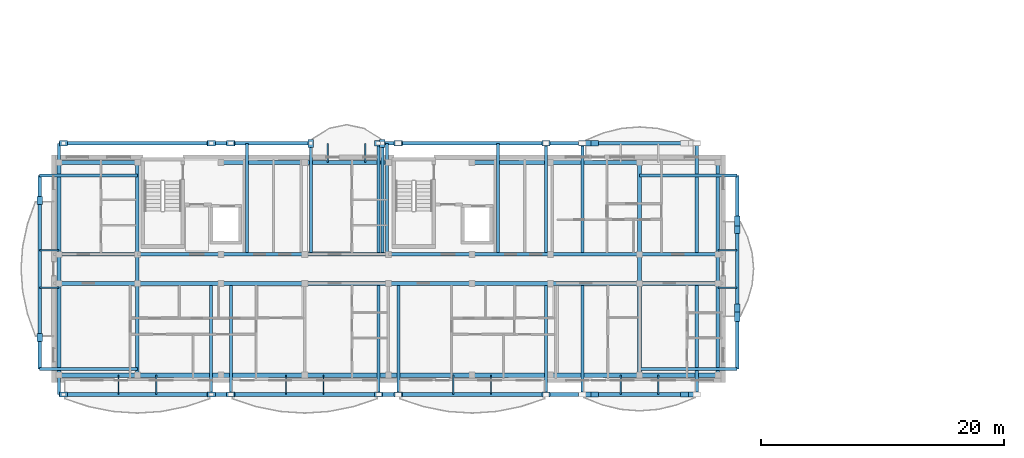
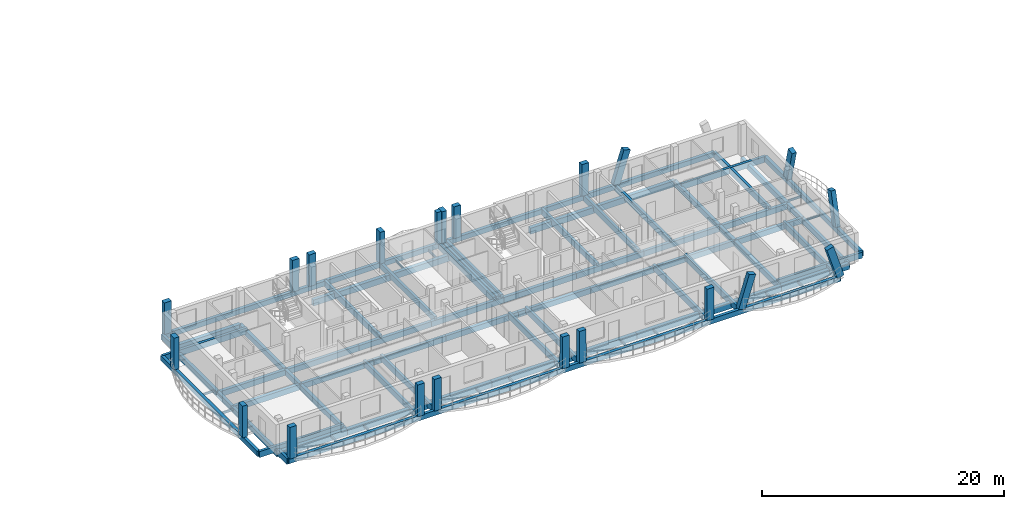
# One storey, part 3 of 44: 81 beams, 21 members.
"""IFC4 building model written with IfcOpenShell, lengths in metres."""

from ifc_helpers import new_model, si_unit, direction, frame, origin, origin_2d, place, context, subcontext, project, spatial, rectangle, i_section, extrude, material, material_profile, profile_set, type_object, element, save


model = new_model("IFC4")

# Units and contexts
model_context = context("Model", 3, precision=1e-05, world=origin(), true_north=direction((0.0, 1.0)))
body_context = subcontext(model_context, "Body", "Model", "MODEL_VIEW")
ifc_project = project(units=[si_unit("LENGTHUNIT", "METRE"), si_unit("AREAUNIT", "SQUARE_METRE"), si_unit("VOLUMEUNIT", "CUBIC_METRE"), si_unit("PLANEANGLEUNIT", "RADIAN"), si_unit("MASSUNIT", "GRAM", prefix="KILO")], contexts=[model_context])

# Site, building, storey
site_placement = place(None, origin())
site = spatial("IfcSite", under=ifc_project, at=site_placement, CompositionType="ELEMENT")
building_placement = place(site_placement, origin())
building = spatial("IfcBuilding", under=site, at=building_placement, Name="Zavelmont Quarter", CompositionType="ELEMENT")
storey_placement = place(building_placement, frame((0.0, 0.0, 20.800048828125)))
storey = spatial("IfcBuildingStorey", under=building, at=storey_placement, Name="L06", CompositionType="ELEMENT", Elevation=20.800048828125)

# Beams
ifc_material_1 = material(Name="Concrete C35/45", Category="concrete")
ifc_material_profile_1 = material_profile(ifc_material_1, rectangle(XDim=0.35009765625, YDim=0.60009765625, at=origin_2d()), Name="RC350X600")
ifc_profile_set_1 = profile_set([ifc_material_profile_1], Name="Concrete C35/45")
beam_type_1 = type_object("IfcBeamType", Name="BM01", PredefinedType="SPANDREL", material=ifc_profile_set_1)
beam_1_placement = place(storey_placement, frame((0.43994140625, 0.43994140625, -0.550048828125), z_axis=(1.0, 0.0, 0.0), x_axis=(0.0, 1.0, 0.0)))
element("IfcBeam", 1, at=beam_1_placement, inside=storey, type_object=beam_type_1, Name="L06 beam BM01 1/A to 2/A", PredefinedType="SPANDREL", context=body_context, shape_type="SweptSolid", body=[
    extrude(rectangle(XDim=0.35009765625, YDim=0.60009765625, at=origin_2d()), origin(), (0.0, 0.0, 1.0), 6.4599609375),
])
beam_2_placement = place(storey_placement, frame((6.89990234375, 0.43994140625, -0.550048828125), z_axis=(1.0, 0.0, 0.0), x_axis=(0.0, 1.0, 0.0)))
element("IfcBeam", 2, at=beam_2_placement, inside=storey, type_object=beam_type_1, Name="L06 beam BM01 2/A to 3/A", PredefinedType="SPANDREL", context=body_context, shape_type="SweptSolid", body=[
    extrude(rectangle(XDim=0.35009765625, YDim=0.60009765625, at=origin_2d()), origin(), (0.0, 0.0, 1.0), 6.900146484375),
])
beam_3_placement = place(storey_placement, frame((13.800048828125, 0.43994140625, -0.550048828125), z_axis=(1.0, 0.0, 0.0), x_axis=(0.0, 1.0, 0.0)))
element("IfcBeam", 3, at=beam_3_placement, inside=storey, type_object=beam_type_1, Name="L06 beam BM01 3/A to 4/A", PredefinedType="SPANDREL", context=body_context, shape_type="SweptSolid", body=[
    extrude(rectangle(XDim=0.35009765625, YDim=0.60009765625, at=origin_2d()), origin(), (0.0, 0.0, 1.0), 6.89990234375),
])
beam_4_placement = place(storey_placement, frame((20.699951171875, 0.43994140625, -0.550048828125), z_axis=(1.0, 0.0, 0.0), x_axis=(0.0, 1.0, 0.0)))
element("IfcBeam", 4, at=beam_4_placement, inside=storey, type_object=beam_type_1, Name="L06 beam BM01 4/A to 5/A", PredefinedType="SPANDREL", context=body_context, shape_type="SweptSolid", body=[
    extrude(rectangle(XDim=0.35009765625, YDim=0.60009765625, at=origin_2d()), origin(), (0.0, 0.0, 1.0), 6.900146484375),
])
beam_5_placement = place(storey_placement, frame((27.60009765625, 0.43994140625, -0.550048828125), z_axis=(1.0, 0.0, 0.0), x_axis=(0.0, 1.0, 0.0)))
element("IfcBeam", 5, at=beam_5_placement, inside=storey, type_object=beam_type_1, Name="L06 beam BM01 5/A to 6/A", PredefinedType="SPANDREL", context=body_context, shape_type="SweptSolid", body=[
    extrude(rectangle(XDim=0.35009765625, YDim=0.60009765625, at=origin_2d()), origin(), (0.0, 0.0, 1.0), 6.89990234375),
])
beam_6_placement = place(storey_placement, frame((34.5, 0.43994140625, -0.550048828125), z_axis=(1.0, 0.0, 0.0), x_axis=(0.0, 1.0, 0.0)))
element("IfcBeam", 6, at=beam_6_placement, inside=storey, type_object=beam_type_1, Name="L06 beam BM01 6/A to 7/A", PredefinedType="SPANDREL", context=body_context, shape_type="SweptSolid", body=[
    extrude(rectangle(XDim=0.35009765625, YDim=0.60009765625, at=origin_2d()), origin(), (0.0, 0.0, 1.0), 6.4599609375),
])
beam_7_placement = place(storey_placement, frame((40.9599609375, 0.43994140625, -0.550048828125), z_axis=(1.0, 0.0, 0.0), x_axis=(0.0, 1.0, 0.0)))
element("IfcBeam", 7, at=beam_7_placement, inside=storey, type_object=beam_type_1, Name="L06 beam BM01 7/A to 8/A", PredefinedType="SPANDREL", context=body_context, shape_type="SweptSolid", body=[
    extrude(rectangle(XDim=0.35009765625, YDim=0.60009765625, at=origin_2d()), origin(), (0.0, 0.0, 1.0), 7.340087890625),
])
for number, where, z_axis, x_axis, name in (
    (8, (48.300048828125, 0.43994140625, -0.550048828125), (1.0, 0.0, 0.0), (0.0, 1.0, 0.0), "L06 beam BM01 8/A to 9/A"),
    (9, (0.43994140625, 17.9599609375, -0.550048828125), (1.0, 0.0, 0.0), (0.0, 1.0, 0.0), "L06 beam BM01 1/D to 2/D"),
):
    element("IfcBeam", number, at=place(storey_placement, frame(where, z_axis=z_axis, x_axis=x_axis)), inside=storey, type_object=beam_type_1, Name=name, PredefinedType="SPANDREL", context=body_context, shape_type="SweptSolid", body=[
        extrude(rectangle(XDim=0.35009765625, YDim=0.60009765625, at=origin_2d()), origin(), (0.0, 0.0, 1.0), 6.4599609375),
    ])
beam_8_placement = place(storey_placement, frame((13.800048828125, 17.9599609375, -0.550048828125), z_axis=(1.0, 0.0, 0.0), x_axis=(0.0, 1.0, 0.0)))
element("IfcBeam", 10, at=beam_8_placement, inside=storey, type_object=beam_type_1, Name="L06 beam BM01 3/D to 4/D", PredefinedType="SPANDREL", context=body_context, shape_type="SweptSolid", body=[
    extrude(rectangle(XDim=0.35009765625, YDim=0.60009765625, at=origin_2d()), origin(), (0.0, 0.0, 1.0), 6.89990234375),
])
beam_9_placement = place(storey_placement, frame((20.699951171875, 17.9599609375, -0.550048828125), z_axis=(1.0, 0.0, 0.0), x_axis=(0.0, 1.0, 0.0)))
element("IfcBeam", 11, at=beam_9_placement, inside=storey, type_object=beam_type_1, Name="L06 beam BM01 4/D to 5/D", PredefinedType="SPANDREL", context=body_context, shape_type="SweptSolid", body=[
    extrude(rectangle(XDim=0.35009765625, YDim=0.60009765625, at=origin_2d()), origin(), (0.0, 0.0, 1.0), 6.900146484375),
])
beam_10_placement = place(storey_placement, frame((34.5, 17.9599609375, -0.550048828125), z_axis=(1.0, 0.0, 0.0), x_axis=(0.0, 1.0, 0.0)))
element("IfcBeam", 12, at=beam_10_placement, inside=storey, type_object=beam_type_1, Name="L06 beam BM01 6/D to 7/D", PredefinedType="SPANDREL", context=body_context, shape_type="SweptSolid", body=[
    extrude(rectangle(XDim=0.35009765625, YDim=0.60009765625, at=origin_2d()), origin(), (0.0, 0.0, 1.0), 6.4599609375),
])
beam_11_placement = place(storey_placement, frame((40.9599609375, 17.9599609375, -0.550048828125), z_axis=(1.0, 0.0, 0.0), x_axis=(0.0, 1.0, 0.0)))
element("IfcBeam", 13, at=beam_11_placement, inside=storey, type_object=beam_type_1, Name="L06 beam BM01 7/D to 8/D", PredefinedType="SPANDREL", context=body_context, shape_type="SweptSolid", body=[
    extrude(rectangle(XDim=0.35009765625, YDim=0.60009765625, at=origin_2d()), origin(), (0.0, 0.0, 1.0), 7.340087890625),
])
ifc_material_profile_2 = material_profile(ifc_material_1, rectangle(XDim=0.300048828125, YDim=0.550048828125, at=origin_2d()), Name="RC300X550")
ifc_profile_set_2 = profile_set([ifc_material_profile_2], Name="Concrete C35/45")
beam_type_2 = type_object("IfcBeamType", Name="BM02", PredefinedType="SPANDREL", material=ifc_profile_set_2)
beam_12_placement = place(storey_placement, frame((0.43994140625, 8.0, -0.525146484375), z_axis=(1.0, 0.0, 0.0), x_axis=(0.0, 1.0, 0.0)))
element("IfcBeam", 14, at=beam_12_placement, inside=storey, type_object=beam_type_2, Name="L06 beam BM02 1/B to 2/B", PredefinedType="SPANDREL", context=body_context, shape_type="SweptSolid", body=[
    extrude(rectangle(XDim=0.300048828125, YDim=0.550048828125, at=origin_2d()), origin(), (0.0, 0.0, 1.0), 6.4599609375),
])
beam_13_placement = place(storey_placement, frame((6.89990234375, 8.0, -0.525146484375), z_axis=(1.0, 0.0, 0.0), x_axis=(0.0, 1.0, 0.0)))
element("IfcBeam", 15, at=beam_13_placement, inside=storey, type_object=beam_type_2, Name="L06 beam BM02 2/B to 3/B", PredefinedType="SPANDREL", context=body_context, shape_type="SweptSolid", body=[
    extrude(rectangle(XDim=0.300048828125, YDim=0.550048828125, at=origin_2d()), origin(), (0.0, 0.0, 1.0), 6.900146484375),
])
beam_14_placement = place(storey_placement, frame((13.800048828125, 8.0, -0.525146484375), z_axis=(1.0, 0.0, 0.0), x_axis=(0.0, 1.0, 0.0)))
element("IfcBeam", 16, at=beam_14_placement, inside=storey, type_object=beam_type_2, Name="L06 beam BM02 3/B to 4/B", PredefinedType="SPANDREL", context=body_context, shape_type="SweptSolid", body=[
    extrude(rectangle(XDim=0.300048828125, YDim=0.550048828125, at=origin_2d()), origin(), (0.0, 0.0, 1.0), 6.89990234375),
])
beam_15_placement = place(storey_placement, frame((20.699951171875, 8.0, -0.525146484375), z_axis=(1.0, 0.0, 0.0), x_axis=(0.0, 1.0, 0.0)))
element("IfcBeam", 17, at=beam_15_placement, inside=storey, type_object=beam_type_2, Name="L06 beam BM02 4/B to 5/B", PredefinedType="SPANDREL", context=body_context, shape_type="SweptSolid", body=[
    extrude(rectangle(XDim=0.300048828125, YDim=0.550048828125, at=origin_2d()), origin(), (0.0, 0.0, 1.0), 6.900146484375),
])
beam_16_placement = place(storey_placement, frame((27.60009765625, 8.0, -0.525146484375), z_axis=(1.0, 0.0, 0.0), x_axis=(0.0, 1.0, 0.0)))
element("IfcBeam", 18, at=beam_16_placement, inside=storey, type_object=beam_type_2, Name="L06 beam BM02 5/B to 6/B", PredefinedType="SPANDREL", context=body_context, shape_type="SweptSolid", body=[
    extrude(rectangle(XDim=0.300048828125, YDim=0.550048828125, at=origin_2d()), origin(), (0.0, 0.0, 1.0), 6.89990234375),
])
beam_17_placement = place(storey_placement, frame((34.5, 8.0, -0.525146484375), z_axis=(1.0, 0.0, 0.0), x_axis=(0.0, 1.0, 0.0)))
element("IfcBeam", 19, at=beam_17_placement, inside=storey, type_object=beam_type_2, Name="L06 beam BM02 6/B to 7/B", PredefinedType="SPANDREL", context=body_context, shape_type="SweptSolid", body=[
    extrude(rectangle(XDim=0.300048828125, YDim=0.550048828125, at=origin_2d()), origin(), (0.0, 0.0, 1.0), 6.4599609375),
])
beam_18_placement = place(storey_placement, frame((40.9599609375, 8.0, -0.525146484375), z_axis=(1.0, 0.0, 0.0), x_axis=(0.0, 1.0, 0.0)))
element("IfcBeam", 20, at=beam_18_placement, inside=storey, type_object=beam_type_2, Name="L06 beam BM02 7/B to 8/B", PredefinedType="SPANDREL", context=body_context, shape_type="SweptSolid", body=[
    extrude(rectangle(XDim=0.300048828125, YDim=0.550048828125, at=origin_2d()), origin(), (0.0, 0.0, 1.0), 7.340087890625),
])
for number, where, z_axis, x_axis, name in (
    (21, (48.300048828125, 8.0, -0.525146484375), (1.0, 0.0, 0.0), (0.0, 1.0, 0.0), "L06 beam BM02 8/B to 9/B"),
    (22, (0.43994140625, 10.39990234375, -0.525146484375), (1.0, 0.0, 0.0), (0.0, 1.0, 0.0), "L06 beam BM02 1/C to 2/C"),
):
    element("IfcBeam", number, at=place(storey_placement, frame(where, z_axis=z_axis, x_axis=x_axis)), inside=storey, type_object=beam_type_2, Name=name, PredefinedType="SPANDREL", context=body_context, shape_type="SweptSolid", body=[
        extrude(rectangle(XDim=0.300048828125, YDim=0.550048828125, at=origin_2d()), origin(), (0.0, 0.0, 1.0), 6.4599609375),
    ])
beam_19_placement = place(storey_placement, frame((6.89990234375, 10.39990234375, -0.525146484375), z_axis=(1.0, 0.0, 0.0), x_axis=(0.0, 1.0, 0.0)))
element("IfcBeam", 23, at=beam_19_placement, inside=storey, type_object=beam_type_2, Name="L06 beam BM02 2/C to 3/C", PredefinedType="SPANDREL", context=body_context, shape_type="SweptSolid", body=[
    extrude(rectangle(XDim=0.300048828125, YDim=0.550048828125, at=origin_2d()), origin(), (0.0, 0.0, 1.0), 6.900146484375),
])
beam_20_placement = place(storey_placement, frame((13.800048828125, 10.39990234375, -0.525146484375), z_axis=(1.0, 0.0, 0.0), x_axis=(0.0, 1.0, 0.0)))
element("IfcBeam", 24, at=beam_20_placement, inside=storey, type_object=beam_type_2, Name="L06 beam BM02 3/C to 4/C", PredefinedType="SPANDREL", context=body_context, shape_type="SweptSolid", body=[
    extrude(rectangle(XDim=0.300048828125, YDim=0.550048828125, at=origin_2d()), origin(), (0.0, 0.0, 1.0), 6.89990234375),
])
beam_21_placement = place(storey_placement, frame((20.699951171875, 10.39990234375, -0.525146484375), z_axis=(1.0, 0.0, 0.0), x_axis=(0.0, 1.0, 0.0)))
element("IfcBeam", 25, at=beam_21_placement, inside=storey, type_object=beam_type_2, Name="L06 beam BM02 4/C to 5/C", PredefinedType="SPANDREL", context=body_context, shape_type="SweptSolid", body=[
    extrude(rectangle(XDim=0.300048828125, YDim=0.550048828125, at=origin_2d()), origin(), (0.0, 0.0, 1.0), 6.900146484375),
])
beam_22_placement = place(storey_placement, frame((27.60009765625, 10.39990234375, -0.525146484375), z_axis=(1.0, 0.0, 0.0), x_axis=(0.0, 1.0, 0.0)))
element("IfcBeam", 26, at=beam_22_placement, inside=storey, type_object=beam_type_2, Name="L06 beam BM02 5/C to 6/C", PredefinedType="SPANDREL", context=body_context, shape_type="SweptSolid", body=[
    extrude(rectangle(XDim=0.300048828125, YDim=0.550048828125, at=origin_2d()), origin(), (0.0, 0.0, 1.0), 6.89990234375),
])
beam_23_placement = place(storey_placement, frame((34.5, 10.39990234375, -0.525146484375), z_axis=(1.0, 0.0, 0.0), x_axis=(0.0, 1.0, 0.0)))
element("IfcBeam", 27, at=beam_23_placement, inside=storey, type_object=beam_type_2, Name="L06 beam BM02 6/C to 7/C", PredefinedType="SPANDREL", context=body_context, shape_type="SweptSolid", body=[
    extrude(rectangle(XDim=0.300048828125, YDim=0.550048828125, at=origin_2d()), origin(), (0.0, 0.0, 1.0), 6.4599609375),
])
beam_24_placement = place(storey_placement, frame((40.9599609375, 10.39990234375, -0.525146484375), z_axis=(1.0, 0.0, 0.0), x_axis=(0.0, 1.0, 0.0)))
element("IfcBeam", 28, at=beam_24_placement, inside=storey, type_object=beam_type_2, Name="L06 beam BM02 7/C to 8/C", PredefinedType="SPANDREL", context=body_context, shape_type="SweptSolid", body=[
    extrude(rectangle(XDim=0.300048828125, YDim=0.550048828125, at=origin_2d()), origin(), (0.0, 0.0, 1.0), 7.340087890625),
])
beam_25_placement = place(storey_placement, frame((48.300048828125, 10.39990234375, -0.525146484375), z_axis=(1.0, 0.0, 0.0), x_axis=(0.0, 1.0, 0.0)))
element("IfcBeam", 29, at=beam_25_placement, inside=storey, type_object=beam_type_2, Name="L06 beam BM02 8/C to 9/C", PredefinedType="SPANDREL", context=body_context, shape_type="SweptSolid", body=[
    extrude(rectangle(XDim=0.300048828125, YDim=0.550048828125, at=origin_2d()), origin(), (0.0, 0.0, 1.0), 6.4599609375),
])
beam_26_placement = place(storey_placement, frame((0.43994140625, 0.43994140625, -0.525146484375), z_axis=(0.0, 1.0, 0.0), x_axis=(-1.0, 0.0, 0.0)))
element("IfcBeam", 30, at=beam_26_placement, inside=storey, type_object=beam_type_2, Name="L06 beam BM02 1/A to 1/B", PredefinedType="SPANDREL", context=body_context, shape_type="SweptSolid", body=[
    extrude(rectangle(XDim=0.300048828125, YDim=0.550048828125, at=origin_2d()), origin(), (0.0, 0.0, 1.0), 7.56005859375),
])
beam_27_placement = place(storey_placement, frame((0.43994140625, 8.0, -0.525146484375), z_axis=(0.0, 1.0, 0.0), x_axis=(-1.0, 0.0, 0.0)))
element("IfcBeam", 31, at=beam_27_placement, inside=storey, type_object=beam_type_2, Name="L06 beam BM02 1/B to 1/C", PredefinedType="SPANDREL", context=body_context, shape_type="SweptSolid", body=[
    extrude(rectangle(XDim=0.300048828125, YDim=0.550048828125, at=origin_2d()), origin(), (0.0, 0.0, 1.0), 2.39990234375),
])
for number, where, z_axis, x_axis, name in (
    (32, (0.43994140625, 10.39990234375, -0.525146484375), (0.0, 1.0, 0.0), (-1.0, 0.0, 0.0), "L06 beam BM02 1/C to 1/D"),
    (33, (6.89990234375, 0.43994140625, -0.525146484375), (0.0, 1.0, 0.0), (-1.0, 0.0, 0.0), "L06 beam BM02 2/A to 2/B"),
):
    element("IfcBeam", number, at=place(storey_placement, frame(where, z_axis=z_axis, x_axis=x_axis)), inside=storey, type_object=beam_type_2, Name=name, PredefinedType="SPANDREL", context=body_context, shape_type="SweptSolid", body=[
        extrude(rectangle(XDim=0.300048828125, YDim=0.550048828125, at=origin_2d()), origin(), (0.0, 0.0, 1.0), 7.56005859375),
    ])
beam_28_placement = place(storey_placement, frame((6.89990234375, 8.0, -0.525146484375), z_axis=(0.0, 1.0, 0.0), x_axis=(-1.0, 0.0, 0.0)))
element("IfcBeam", 34, at=beam_28_placement, inside=storey, type_object=beam_type_2, Name="L06 beam BM02 2/B to 2/C", PredefinedType="SPANDREL", context=body_context, shape_type="SweptSolid", body=[
    extrude(rectangle(XDim=0.300048828125, YDim=0.550048828125, at=origin_2d()), origin(), (0.0, 0.0, 1.0), 2.39990234375),
])
for number, where, z_axis, x_axis, name in (
    (35, (6.89990234375, 10.39990234375, -0.525146484375), (0.0, 1.0, 0.0), (-1.0, 0.0, 0.0), "L06 beam BM02 2/C to 2/D"),
    (36, (48.300048828125, 0.43994140625, -0.525146484375), (0.0, 1.0, 0.0), (-1.0, 0.0, 0.0), "L06 beam BM02 8/A to 8/B"),
):
    element("IfcBeam", number, at=place(storey_placement, frame(where, z_axis=z_axis, x_axis=x_axis)), inside=storey, type_object=beam_type_2, Name=name, PredefinedType="SPANDREL", context=body_context, shape_type="SweptSolid", body=[
        extrude(rectangle(XDim=0.300048828125, YDim=0.550048828125, at=origin_2d()), origin(), (0.0, 0.0, 1.0), 7.56005859375),
    ])
beam_29_placement = place(storey_placement, frame((48.300048828125, 8.0, -0.525146484375), z_axis=(0.0, 1.0, 0.0), x_axis=(-1.0, 0.0, 0.0)))
element("IfcBeam", 37, at=beam_29_placement, inside=storey, type_object=beam_type_2, Name="L06 beam BM02 8/B to 8/C", PredefinedType="SPANDREL", context=body_context, shape_type="SweptSolid", body=[
    extrude(rectangle(XDim=0.300048828125, YDim=0.550048828125, at=origin_2d()), origin(), (0.0, 0.0, 1.0), 2.39990234375),
])
for number, where, z_axis, x_axis, name in (
    (38, (48.300048828125, 10.39990234375, -0.525146484375), (0.0, 1.0, 0.0), (-1.0, 0.0, 0.0), "L06 beam BM02 8/C to 8/D"),
    (39, (54.760009765625, 0.43994140625, -0.525146484375), (0.0, 1.0, 0.0), (-1.0, 0.0, 0.0), "L06 beam BM02 9/A to 9/B"),
):
    element("IfcBeam", number, at=place(storey_placement, frame(where, z_axis=z_axis, x_axis=x_axis)), inside=storey, type_object=beam_type_2, Name=name, PredefinedType="SPANDREL", context=body_context, shape_type="SweptSolid", body=[
        extrude(rectangle(XDim=0.300048828125, YDim=0.550048828125, at=origin_2d()), origin(), (0.0, 0.0, 1.0), 7.56005859375),
    ])
beam_30_placement = place(storey_placement, frame((54.760009765625, 8.0, -0.525146484375), z_axis=(0.0, 1.0, 0.0), x_axis=(-1.0, 0.0, 0.0)))
element("IfcBeam", 40, at=beam_30_placement, inside=storey, type_object=beam_type_2, Name="L06 beam BM02 9/B to 9/C", PredefinedType="SPANDREL", context=body_context, shape_type="SweptSolid", body=[
    extrude(rectangle(XDim=0.300048828125, YDim=0.550048828125, at=origin_2d()), origin(), (0.0, 0.0, 1.0), 2.39990234375),
])
beam_31_placement = place(storey_placement, frame((54.760009765625, 10.39990234375, -0.525146484375), z_axis=(0.0, 1.0, 0.0), x_axis=(-1.0, 0.0, 0.0)))
element("IfcBeam", 41, at=beam_31_placement, inside=storey, type_object=beam_type_2, Name="L06 beam BM02 9/C to 9/D", PredefinedType="SPANDREL", context=body_context, shape_type="SweptSolid", body=[
    extrude(rectangle(XDim=0.300048828125, YDim=0.550048828125, at=origin_2d()), origin(), (0.0, 0.0, 1.0), 7.56005859375),
])
ifc_material_profile_3 = material_profile(ifc_material_1, rectangle(XDim=0.300048828125, YDim=0.5, at=origin_2d()), Name="RC300X500")
ifc_profile_set_3 = profile_set([ifc_material_profile_3], Name="Concrete C35/45")
beam_type_3 = type_object("IfcBeamType", Name="BM03", PredefinedType="BEAM", material=ifc_profile_set_3)
for number, where, z_axis, x_axis, name in (
    (42, (0.43994140625, -1.14990234375, -0.25), (1.0, 0.0, 0.0), (0.0, 1.0, 0.0), "L06 beam BM03 1/A to 9/A"),
    (43, (0.43994140625, 19.550048828125, -0.25), (1.0, 0.0, 0.0), (0.0, 1.0, 0.0), "L06 beam BM03 1/D to 9/D"),
):
    element("IfcBeam", number, at=place(storey_placement, frame(where, z_axis=z_axis, x_axis=x_axis)), inside=storey, type_object=beam_type_3, Name=name, PredefinedType="BEAM", context=body_context, shape_type="SweptSolid", body=[
        extrude(rectangle(XDim=0.300048828125, YDim=0.5, at=origin_2d()), origin(), (0.0, 0.0, 1.0), 52.574951171875),
    ])
for number, where, z_axis, x_axis, name in (
    (44, (-1.14990234375, 0.949951171875, -0.25), (0.0, 1.0, 0.0), (-1.0, 0.0, 0.0), "L06 beam BM03 1/A to 1/D"),
    (45, (56.35009765625, 0.949951171875, -0.25), (0.0, 1.0, 0.0), (-1.0, 0.0, 0.0), "L06 beam BM03 9/A to 9/D"),
):
    element("IfcBeam", number, at=place(storey_placement, frame(where, z_axis=z_axis, x_axis=x_axis)), inside=storey, type_object=beam_type_3, Name=name, PredefinedType="BEAM", context=body_context, shape_type="SweptSolid", body=[
        extrude(rectangle(XDim=0.300048828125, YDim=0.5, at=origin_2d()), origin(), (0.0, 0.0, 1.0), 15.949951171875),
    ])
ifc_material_2 = material(Name="Steel S355", Category="steel")
ifc_material_profile_4 = material_profile(ifc_material_2, i_section(OverallWidth=0.110107421875, OverallDepth=0.219970703125, WebThickness=0.005859375, FlangeThickness=0.00927734375, at=origin_2d()), Name="IPE 220")
ifc_profile_set_4 = profile_set([ifc_material_profile_4], Name="Steel S355")
beam_type_4 = type_object("IfcBeamType", Name="BM15", PredefinedType="JOIST", material=ifc_profile_set_4)
for number, where, z_axis, x_axis, name in (
    (46, (5.35009765625, 0.43994140625, -0.362060546875), (0.0, -1.0, 0.0), (1.0, 0.0, 0.0), "L06 beam BM15 2/A to 2/A"),
    (47, (8.449951171875, 0.43994140625, -0.362060546875), (0.0, -1.0, 0.0), (1.0, 0.0, 0.0), "L06 beam BM15 2/A to 2/A"),
    (48, (19.14990234375, 0.43994140625, -0.362060546875), (0.0, -1.0, 0.0), (1.0, 0.0, 0.0), "L06 beam BM15 4/A to 4/A"),
    (49, (22.25, 0.43994140625, -0.362060546875), (0.0, -1.0, 0.0), (1.0, 0.0, 0.0), "L06 beam BM15 4/A to 4/A"),
    (50, (32.949951171875, 0.43994140625, -0.366943359375), (0.0, -1.0, 0.0), (1.0, 0.0, 0.0), "L06 beam BM15 6/A to 6/A"),
    (51, (36.050048828125, 0.43994140625, -0.366943359375), (0.0, -1.0, 0.0), (1.0, 0.0, 0.0), "L06 beam BM15 6/A to 6/A"),
    (52, (46.75, 0.43994140625, -0.362060546875), (0.0, -1.0, 0.0), (1.0, 0.0, 0.0), "L06 beam BM15 8/A to 8/A"),
    (53, (49.85009765625, 0.43994140625, -0.362060546875), (0.0, -1.0, 0.0), (1.0, 0.0, 0.0), "L06 beam BM15 8/A to 8/A"),
    (54, (0.43994140625, 7.64990234375, -0.362060546875), (-1.0, 0.0, 0.0), (0.0, -1.0, 0.0), "L06 beam BM15 1/B to 1/B"),
    (55, (0.43994140625, 10.75, -0.362060546875), (-1.0, 0.0, 0.0), (0.0, -1.0, 0.0), "L06 beam BM15 1/C to 1/C"),
):
    element("IfcBeam", number, at=place(storey_placement, frame(where, z_axis=z_axis, x_axis=x_axis)), inside=storey, type_object=beam_type_4, Name=name, PredefinedType="JOIST", context=body_context, shape_type="SweptSolid", body=[
        extrude(i_section(OverallWidth=0.110107421875, OverallDepth=0.219970703125, WebThickness=0.005859375, FlangeThickness=0.00927734375, at=origin_2d()), origin(), (0.0, 0.0, 1.0), 1.58984375),
    ])
for number, where, z_axis, x_axis, name in (
    (56, (54.760009765625, 7.64990234375, -0.366943359375), (1.0, 0.0, 0.0), (0.0, 1.0, 0.0), "L06 beam BM15 9/B to 9/B"),
    (57, (54.760009765625, 10.75, -0.366943359375), (1.0, 0.0, 0.0), (0.0, 1.0, 0.0), "L06 beam BM15 9/C to 9/C"),
    (58, (22.60009765625, 17.9599609375, -0.362060546875), (0.0, 1.0, 0.0), (-1.0, 0.0, 0.0), "L06 beam BM15 4/D to 4/D"),
    (59, (25.699951171875, 17.9599609375, -0.362060546875), (0.0, 1.0, 0.0), (-1.0, 0.0, 0.0), "L06 beam BM15 5/D to 5/D"),
):
    element("IfcBeam", number, at=place(storey_placement, frame(where, z_axis=z_axis, x_axis=x_axis)), inside=storey, type_object=beam_type_4, Name=name, PredefinedType="JOIST", context=body_context, shape_type="SweptSolid", body=[
        extrude(i_section(OverallWidth=0.110107421875, OverallDepth=0.219970703125, WebThickness=0.005859375, FlangeThickness=0.00927734375, at=origin_2d()), origin(), (0.0, 0.0, 1.0), 1.590087890625),
    ])
ifc_material_3 = material(Name="Concrete C40/50", Category="concrete")
ifc_material_profile_5 = material_profile(ifc_material_3, rectangle(XDim=0.25, YDim=0.60009765625, at=origin_2d()), Name="RC250X600")
ifc_profile_set_5 = profile_set([ifc_material_profile_5], Name="Concrete C40/50")
beam_type_5 = type_object("IfcBeamType", Name="BM18", PredefinedType="BEAM", material=ifc_profile_set_5)
beam_32_placement = place(storey_placement, frame((0.43994140625, 0.43994140625, -0.300048828125), z_axis=(0.0, -1.0, 0.0), x_axis=(1.0, 0.0, 0.0)))
element("IfcBeam", 60, at=beam_32_placement, inside=storey, type_object=beam_type_5, Name="L06 beam BM18 1/A to 1/A", PredefinedType="BEAM", context=body_context, shape_type="SweptSolid", body=[
    extrude(rectangle(XDim=0.25, YDim=0.60009765625, at=origin_2d()), origin(), (0.0, 0.0, 1.0), 1.58984375),
])
for number, where, z_axis, x_axis, name in (
    (61, (12.98779296875, 8.0, -0.300048828125), (0.0, -1.0, 0.0), (1.0, 0.0, 0.0), "L06 beam BM18 3/B to 3/A"),
    (62, (14.6123046875, 8.0, -0.300048828125), (0.0, -1.0, 0.0), (1.0, 0.0, 0.0), "L06 beam BM18 3/B to 3/A"),
    (63, (26.787841796875, 8.0, -0.300048828125), (0.0, -1.0, 0.0), (1.0, 0.0, 0.0), "L06 beam BM18 5/B to 5/A"),
    (64, (28.412109375, 8.0, -0.300048828125), (0.0, -1.0, 0.0), (1.0, 0.0, 0.0), "L06 beam BM18 5/B to 5/A"),
    (65, (40.587890625, 8.0, -0.300048828125), (0.0, -1.0, 0.0), (1.0, 0.0, 0.0), "L06 beam BM18 7/B to 7/A"),
    (66, (43.585205078125, 8.0, -0.300048828125), (0.0, -1.0, 0.0), (1.0, 0.0, 0.0), "L06 beam BM18 7/B to 7/A"),
    (67, (53.0146484375, 8.0, -0.300048828125), (0.0, -1.0, 0.0), (1.0, 0.0, 0.0), "L06 beam BM18 9/B to 9/A"),
):
    element("IfcBeam", number, at=place(storey_placement, frame(where, z_axis=z_axis, x_axis=x_axis)), inside=storey, type_object=beam_type_5, Name=name, PredefinedType="BEAM", context=body_context, shape_type="SweptSolid", body=[
        extrude(rectangle(XDim=0.25, YDim=0.60009765625, at=origin_2d()), origin(), (0.0, 0.0, 1.0), 9.14990234375),
    ])
beam_33_placement = place(storey_placement, frame((0.43994140625, 17.9599609375, -0.300048828125), z_axis=(0.0, 1.0, 0.0), x_axis=(-1.0, 0.0, 0.0)))
element("IfcBeam", 68, at=beam_33_placement, inside=storey, type_object=beam_type_5, Name="L06 beam BM18 1/D to 1/D", PredefinedType="BEAM", context=body_context, shape_type="SweptSolid", body=[
    extrude(rectangle(XDim=0.25, YDim=0.60009765625, at=origin_2d()), origin(), (0.0, 0.0, 1.0), 1.590087890625),
])
for number, where, z_axis, x_axis, name in (
    (69, (15.925048828125, 10.39990234375, -0.300048828125), (0.0, 1.0, 0.0), (-1.0, 0.0, 0.0), "L06 beam BM18 3/C to 3/D"),
    (70, (26.787841796875, 10.39990234375, -0.300048828125), (0.0, 1.0, 0.0), (-1.0, 0.0, 0.0), "L06 beam BM18 5/C to 5/D"),
    (71, (27.5, 10.39990234375, -0.300048828125), (0.0, 1.0, 0.0), (-1.0, 0.0, 0.0), "L06 beam BM18 5/C to 5/D"),
    (72, (36.625, 10.39990234375, -0.300048828125), (0.0, 1.0, 0.0), (-1.0, 0.0, 0.0), "L06 beam BM18 6/C to 6/D"),
    (73, (40.587890625, 10.39990234375, -0.300048828125), (0.0, 1.0, 0.0), (-1.0, 0.0, 0.0), "L06 beam BM18 7/C to 7/D"),
    (74, (43.585205078125, 10.39990234375, -0.300048828125), (0.0, 1.0, 0.0), (-1.0, 0.0, 0.0), "L06 beam BM18 7/C to 7/D"),
    (75, (53.0146484375, 10.39990234375, -0.300048828125), (0.0, 1.0, 0.0), (-1.0, 0.0, 0.0), "L06 beam BM18 9/C to 9/D"),
    (76, (21.199951171875, 10.39990234375, -0.300048828125), (0.0, 1.0, 0.0), (-1.0, 0.0, 0.0), "L06 beam BM18 4/C to 4/D"),
    (77, (27.10009765625, 10.39990234375, -0.300048828125), (0.0, 1.0, 0.0), (-1.0, 0.0, 0.0), "L06 beam BM18 5/C to 5/D"),
):
    element("IfcBeam", number, at=place(storey_placement, frame(where, z_axis=z_axis, x_axis=x_axis)), inside=storey, type_object=beam_type_5, Name=name, PredefinedType="BEAM", context=body_context, shape_type="SweptSolid", body=[
        extrude(rectangle(XDim=0.25, YDim=0.60009765625, at=origin_2d()), origin(), (0.0, 0.0, 1.0), 9.150146484375),
    ])
for number, where, z_axis, x_axis, name in (
    (78, (6.89990234375, 0.949951171875, -0.300048828125), (-1.0, 0.0, 0.0), (0.0, -1.0, 0.0), "L06 beam BM18 2/A to 1/A"),
    (79, (6.89990234375, 16.89990234375, -0.300048828125), (-1.0, 0.0, 0.0), (0.0, -1.0, 0.0), "L06 beam BM18 2/D to 1/D"),
):
    element("IfcBeam", number, at=place(storey_placement, frame(where, z_axis=z_axis, x_axis=x_axis)), inside=storey, type_object=beam_type_5, Name=name, PredefinedType="BEAM", context=body_context, shape_type="SweptSolid", body=[
        extrude(rectangle(XDim=0.25, YDim=0.60009765625, at=origin_2d()), origin(), (0.0, 0.0, 1.0), 8.0498046875),
    ])
for number, where, z_axis, x_axis, name in (
    (80, (48.300048828125, 0.949951171875, -0.300048828125), (1.0, 0.0, 0.0), (0.0, 1.0, 0.0), "L06 beam BM18 8/A to 9/A"),
    (81, (48.300048828125, 16.89990234375, -0.300048828125), (1.0, 0.0, 0.0), (0.0, 1.0, 0.0), "L06 beam BM18 8/D to 9/D"),
):
    element("IfcBeam", number, at=place(storey_placement, frame(where, z_axis=z_axis, x_axis=x_axis)), inside=storey, type_object=beam_type_5, Name=name, PredefinedType="BEAM", context=body_context, shape_type="SweptSolid", body=[
        extrude(rectangle(XDim=0.25, YDim=0.60009765625, at=origin_2d()), origin(), (0.0, 0.0, 1.0), 8.050048828125),
    ])

# Members
ifc_material_4 = material(Name="White architectural precast concrete C40/50", Category="concrete")
ifc_material_profile_6 = material_profile(ifc_material_4, rectangle(XDim=0.43994140625, YDim=0.659912109375, at=origin_2d()), Name="PCR320X480")
ifc_profile_set_6 = profile_set([ifc_material_profile_6], Name="White architectural precast concrete C40/50")
member_type = type_object("IfcMemberType", Name="VR01M", PredefinedType="CHORD", material=ifc_profile_set_6)
for number, where, z_axis, x_axis, name in (
    (82, (0.812255859375, -1.14990234375, 0.0), (-0.003814727718, 0.0, 0.9999927239), (0.0, -1.0, 0.0), "L06 member VR01M 1/A to 1/A"),
    (83, (12.98779296875, -1.14990234375, 0.0), (0.003814727718, 0.0, 0.9999927239), (0.0, 1.0, 0.0), "L06 member VR01M 3/A to 3/A"),
    (84, (14.6123046875, -1.14990234375, 0.0), (-0.003814727718, 0.0, 0.9999927239), (0.0, -1.0, 0.0), "L06 member VR01M 3/A to 3/A"),
    (85, (26.787841796875, -1.14990234375, 0.0), (0.003814727718, 0.0, 0.9999927239), (0.0, 1.0, 0.0), "L06 member VR01M 5/A to 5/A"),
    (86, (28.412109375, -1.14990234375, 0.0), (-0.003814727718, 0.0, 0.9999927239), (0.0, -1.0, 0.0), "L06 member VR01M 5/A to 5/A"),
    (87, (40.587890625, -1.14990234375, 0.0), (0.003814727718, 0.0, 0.9999927239), (0.0, 1.0, 0.0), "L06 member VR01M 7/A to 7/A"),
):
    element("IfcMember", number, at=place(storey_placement, frame(where, z_axis=z_axis, x_axis=x_axis)), inside=storey, type_object=member_type, Name=name, PredefinedType="CHORD", context=body_context, shape_type="SweptSolid", body=[
        extrude(rectangle(XDim=0.43994140625, YDim=0.659912109375, at=origin_2d()), origin(), (0.0, 0.0, 1.0), 3.199951171875),
    ])
for number, where, z_axis, x_axis, name in (
    (88, (43.585205078125, -1.14990234375, 0.0), (0.301921452112, 0.0, 0.953332804825), (0.0, 1.0, 0.0), "L06 member VR01M 7/A to 7/A"),
    (89, (53.0146484375, -1.14990234375, 0.0), (-0.301921452112, 0.0, 0.953332804825), (0.0, -1.0, 0.0), "L06 member VR01M 9/A to 9/A"),
):
    element("IfcMember", number, at=place(storey_placement, frame(where, z_axis=z_axis, x_axis=x_axis)), inside=storey, type_object=member_type, Name=name, PredefinedType="CHORD", context=body_context, shape_type="SweptSolid", body=[
        extrude(rectangle(XDim=0.43994140625, YDim=0.659912109375, at=origin_2d()), origin(), (0.0, 0.0, 1.0), 3.356689453125),
    ])
for number, where, z_axis, x_axis, name in (
    (90, (0.812255859375, 19.550048828125, 0.0), (-0.003814727718, 0.0, 0.9999927239), (0.0, -1.0, 0.0), "L06 member VR01M 1/D to 1/D"),
    (91, (12.98779296875, 19.550048828125, 0.0), (0.003814727718, 0.0, 0.9999927239), (0.0, 1.0, 0.0), "L06 member VR01M 3/D to 3/D"),
    (92, (14.6123046875, 19.550048828125, 0.0), (-0.003814727718, 0.0, 0.9999927239), (0.0, -1.0, 0.0), "L06 member VR01M 3/D to 3/D"),
    (93, (26.787841796875, 19.550048828125, 0.0), (0.003814727718, 0.0, 0.9999927239), (0.0, 1.0, 0.0), "L06 member VR01M 5/D to 5/D"),
    (94, (28.412109375, 19.550048828125, 0.0), (-0.003814727718, 0.0, 0.9999927239), (0.0, -1.0, 0.0), "L06 member VR01M 5/D to 5/D"),
    (95, (40.587890625, 19.550048828125, 0.0), (0.003814727718, 0.0, 0.9999927239), (0.0, 1.0, 0.0), "L06 member VR01M 7/D to 7/D"),
):
    element("IfcMember", number, at=place(storey_placement, frame(where, z_axis=z_axis, x_axis=x_axis)), inside=storey, type_object=member_type, Name=name, PredefinedType="CHORD", context=body_context, shape_type="SweptSolid", body=[
        extrude(rectangle(XDim=0.43994140625, YDim=0.659912109375, at=origin_2d()), origin(), (0.0, 0.0, 1.0), 3.199951171875),
    ])
member_placement = place(storey_placement, frame((43.585205078125, 19.550048828125, 0.0), z_axis=(0.301921452112, 0.0, 0.953332804825), x_axis=(0.0, 1.0, 0.0)))
element("IfcMember", 96, at=member_placement, inside=storey, type_object=member_type, Name="L06 member VR01M 7/D to 7/D", PredefinedType="CHORD", context=body_context, shape_type="SweptSolid", body=[
    extrude(rectangle(XDim=0.43994140625, YDim=0.659912109375, at=origin_2d()), origin(), (0.0, 0.0, 1.0), 3.356689453125),
])
for number, where, z_axis, x_axis, name in (
    (97, (21.199951171875, 19.550048828125, 0.0), (0.0, 0.0, 1.0), (1.0, 0.0, 0.0), "L06 member VR01M 4/D to 4/D"),
    (98, (27.10009765625, 19.550048828125, 0.0), (0.0, 0.0, 1.0), (1.0, 0.0, 0.0), "L06 member VR01M 5/D to 5/D"),
    (99, (-1.14990234375, 3.550048828125, 0.0), (0.0, 0.0, 1.0), (1.0, 0.0, 0.0), "L06 member VR01M 1/A to 1/A"),
    (100, (-1.14990234375, 14.85009765625, 0.0), (0.0, 0.0, 1.0), (1.0, 0.0, 0.0), "L06 member VR01M 1/D to 1/D"),
):
    element("IfcMember", number, at=place(storey_placement, frame(where, z_axis=z_axis, x_axis=x_axis)), inside=storey, type_object=member_type, Name=name, PredefinedType="CHORD", context=body_context, shape_type="SweptSolid", body=[
        extrude(rectangle(XDim=0.43994140625, YDim=0.659912109375, at=origin_2d()), origin(), (0.0, 0.0, 1.0), 3.199951171875),
    ])
for number, where, z_axis, x_axis, name in (
    (101, (56.35009765625, 5.176513671875, 0.0), (0.0, 0.242065313147, 0.970259957007), (-1.0, 0.0, 0.0), "L06 member VR01M 9/B to 9/B"),
    (102, (56.35009765625, 13.223388671875, 0.0), (0.0, -0.242065313147, 0.970259957007), (1.0, 0.0, 0.0), "L06 member VR01M 9/C to 9/C"),
):
    element("IfcMember", number, at=place(storey_placement, frame(where, z_axis=z_axis, x_axis=x_axis)), inside=storey, type_object=member_type, Name=name, PredefinedType="CHORD", context=body_context, shape_type="SweptSolid", body=[
        extrude(rectangle(XDim=0.43994140625, YDim=0.659912109375, at=origin_2d()), origin(), (0.0, 0.0, 1.0), 3.298095703125),
    ])

save(model, "model.ifc")
